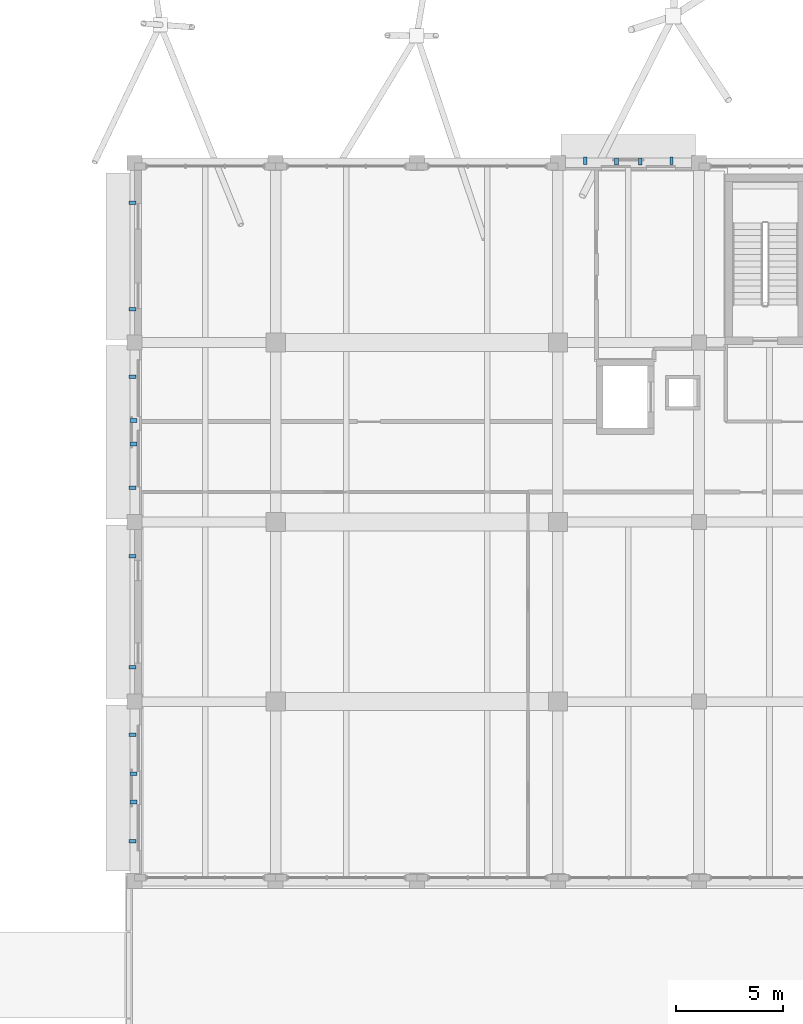
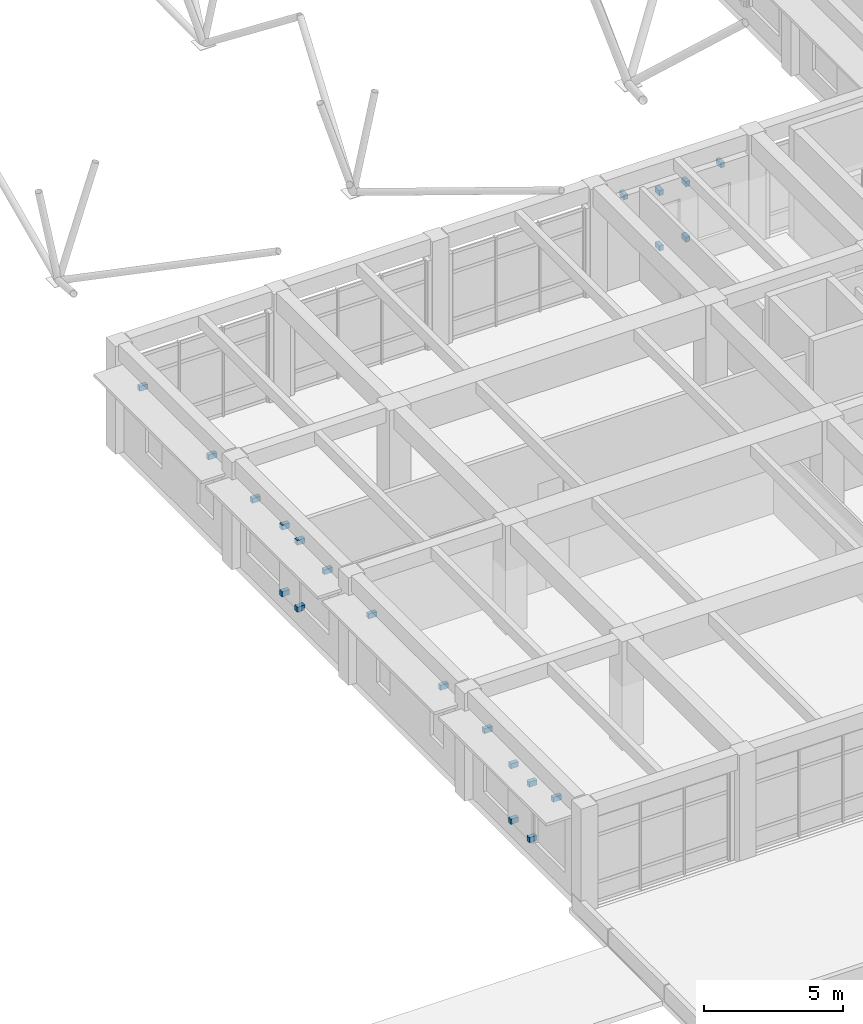
# One storey, part 59 of 75: 22 discrete accessories.
"""IFC4 building model written with IfcOpenShell, lengths in metres."""

from ifc_helpers import new_model, si_unit, direction, frame, origin, origin_2d, place, context, subcontext, project, spatial, rectangle, extrude, material, type_object, element, save


model = new_model("IFC4")

# Units and contexts
model_context = context("Model", 3, precision=1e-05, world=origin(), true_north=direction((0.0, 1.0)))
body_context = subcontext(model_context, "Body", "Model", "MODEL_VIEW")
ifc_project = project(units=[si_unit("LENGTHUNIT", "METRE"), si_unit("AREAUNIT", "SQUARE_METRE"), si_unit("VOLUMEUNIT", "CUBIC_METRE"), si_unit("PLANEANGLEUNIT", "RADIAN"), si_unit("MASSUNIT", "GRAM", prefix="KILO")], contexts=[model_context])

# Site, building, storey
site_placement = place(None, origin())
site = spatial("IfcSite", under=ifc_project, at=site_placement, CompositionType="ELEMENT")
building_placement = place(site_placement, origin())
building = spatial("IfcBuilding", under=site, at=building_placement, Name="Kolvaren Faculty of Natural Sciences", CompositionType="ELEMENT")
storey_placement = place(building_placement, frame((0.0, 0.0, 5.39990234375)))
storey = spatial("IfcBuildingStorey", under=building, at=storey_placement, Name="L01", CompositionType="ELEMENT", Elevation=5.39990234375)

# Discrete accessories
ifc_material = material(Name="Structural steel EN 10025-2 S355J2", Category="steel")
discrete_accessory_type = type_object("IfcDiscreteAccessoryType", Name="FacadeSupportBracket_260", PredefinedType="BRACKET", material=ifc_material)
for number, where, z_axis, x_axis, name in (
    (1, (99.10009765625, 10.470458984375, 3.71533203125), (0.0, 0.0, 1.0), (0.0, 1.0, 0.0), "L01 chhajja hood steel bracket"),
    (2, (99.10009765625, 15.44970703125, 3.71533203125), (0.0, 0.0, 1.0), (0.0, 1.0, 0.0), "L01 chhajja hood steel bracket"),
):
    element("IfcDiscreteAccessory", number, at=place(storey_placement, frame(where, z_axis=z_axis, x_axis=x_axis)), inside=storey, type_object=discrete_accessory_type, Name=name, PredefinedType="BRACKET", context=body_context, shape_type="SweptSolid", body=[
        extrude(rectangle(XDim=0.159912109375, YDim=0.340087890625, at=origin_2d()), origin(), (0.0, 0.0, 1.0), 0.219970703125),
    ])
for number, where, z_axis, x_axis, name in (
    (3, (99.139892578125, 12.294921875, 0.8203125), (0.0, 0.0, 1.0), (0.0, 1.0, 0.0), "L01 jali screen wall bracket"),
    (4, (99.139892578125, 13.625, 0.8203125), (0.0, 0.0, 1.0), (0.0, 1.0, 0.0), "L01 jali screen wall bracket"),
    (5, (99.139892578125, 12.294921875, 3.26025390625), (0.0, 0.0, 1.0), (0.0, 1.0, 0.0), "L01 jali screen wall bracket"),
    (6, (99.139892578125, 13.625, 3.26025390625), (0.0, 0.0, 1.0), (0.0, 1.0, 0.0), "L01 jali screen wall bracket"),
):
    element("IfcDiscreteAccessory", number, at=place(storey_placement, frame(where, z_axis=z_axis, x_axis=x_axis)), inside=storey, type_object=discrete_accessory_type, Name=name, PredefinedType="BRACKET", context=body_context, shape_type="SweptSolid", body=[
        extrude(rectangle(XDim=0.179931640625, YDim=0.320068359375, at=origin_2d()), origin(), (0.0, 0.0, 1.0), 0.219970703125),
    ])
for number, where, z_axis, x_axis, name in (
    (7, (99.10009765625, 18.60791015625, 3.71533203125), (0.0, 0.0, 1.0), (0.0, 1.0, 0.0), "L01 chhajja hood steel bracket"),
    (8, (99.10009765625, 23.7919921875, 3.71533203125), (0.0, 0.0, 1.0), (0.0, 1.0, 0.0), "L01 chhajja hood steel bracket"),
    (9, (99.10009765625, 27.008056640625, 3.71533203125), (0.0, 0.0, 1.0), (0.0, 1.0, 0.0), "L01 chhajja hood steel bracket"),
    (10, (99.10009765625, 32.19189453125, 3.71533203125), (0.0, 0.0, 1.0), (0.0, 1.0, 0.0), "L01 chhajja hood steel bracket"),
):
    element("IfcDiscreteAccessory", number, at=place(storey_placement, frame(where, z_axis=z_axis, x_axis=x_axis)), inside=storey, type_object=discrete_accessory_type, Name=name, PredefinedType="BRACKET", context=body_context, shape_type="SweptSolid", body=[
        extrude(rectangle(XDim=0.159912109375, YDim=0.340087890625, at=origin_2d()), origin(), (0.0, 0.0, 1.0), 0.219970703125),
    ])
for number, where, z_axis, x_axis, name in (
    (11, (99.139892578125, 29.049072265625, 0.8203125), (0.0, 0.0, 1.0), (0.0, 1.0, 0.0), "L01 jali screen wall bracket"),
    (12, (99.139892578125, 30.15087890625, 0.8203125), (0.0, 0.0, 1.0), (0.0, 1.0, 0.0), "L01 jali screen wall bracket"),
    (13, (99.139892578125, 29.049072265625, 3.76025390625), (0.0, 0.0, 1.0), (0.0, 1.0, 0.0), "L01 jali screen wall bracket"),
    (14, (99.139892578125, 30.15087890625, 3.76025390625), (0.0, 0.0, 1.0), (0.0, 1.0, 0.0), "L01 jali screen wall bracket"),
):
    element("IfcDiscreteAccessory", number, at=place(storey_placement, frame(where, z_axis=z_axis, x_axis=x_axis)), inside=storey, type_object=discrete_accessory_type, Name=name, PredefinedType="BRACKET", context=body_context, shape_type="SweptSolid", body=[
        extrude(rectangle(XDim=0.179931640625, YDim=0.320068359375, at=origin_2d()), origin(), (0.0, 0.0, 1.0), 0.219970703125),
    ])
for number, where, z_axis, x_axis, name in (
    (15, (99.10009765625, 35.350341796875, 3.71533203125), (0.0, 0.0, 1.0), (0.0, 1.0, 0.0), "L01 chhajja hood steel bracket"),
    (16, (99.10009765625, 40.32958984375, 3.71533203125), (0.0, 0.0, 1.0), (0.0, 1.0, 0.0), "L01 chhajja hood steel bracket"),
    (17, (120.283935546875, 42.300048828125, 3.56494140625), (0.0, 0.0, 1.0), (1.0, 0.0, 0.0), "L01 chhajja hood steel bracket"),
    (18, (124.31591796875, 42.300048828125, 3.56494140625), (0.0, 0.0, 1.0), (1.0, 0.0, 0.0), "L01 chhajja hood steel bracket"),
):
    element("IfcDiscreteAccessory", number, at=place(storey_placement, frame(where, z_axis=z_axis, x_axis=x_axis)), inside=storey, type_object=discrete_accessory_type, Name=name, PredefinedType="BRACKET", context=body_context, shape_type="SweptSolid", body=[
        extrude(rectangle(XDim=0.159912109375, YDim=0.340087890625, at=origin_2d()), origin(), (0.0, 0.0, 1.0), 0.219970703125),
    ])
for number, where, z_axis, x_axis, name in (
    (19, (121.7490234375, 42.260009765625, 0.8203125), (0.0, 0.0, 1.0), (1.0, 0.0, 0.0), "L01 jali screen wall bracket"),
    (20, (122.85107421875, 42.260009765625, 0.8203125), (0.0, 0.0, 1.0), (1.0, 0.0, 0.0), "L01 jali screen wall bracket"),
    (21, (121.7490234375, 42.260009765625, 3.26025390625), (0.0, 0.0, 1.0), (1.0, 0.0, 0.0), "L01 jali screen wall bracket"),
    (22, (122.85107421875, 42.260009765625, 3.26025390625), (0.0, 0.0, 1.0), (1.0, 0.0, 0.0), "L01 jali screen wall bracket"),
):
    element("IfcDiscreteAccessory", number, at=place(storey_placement, frame(where, z_axis=z_axis, x_axis=x_axis)), inside=storey, type_object=discrete_accessory_type, Name=name, PredefinedType="BRACKET", context=body_context, shape_type="SweptSolid", body=[
        extrude(rectangle(XDim=0.179931640625, YDim=0.320068359375, at=origin_2d()), origin(), (0.0, 0.0, 1.0), 0.219970703125),
    ])

save(model, "model.ifc")
